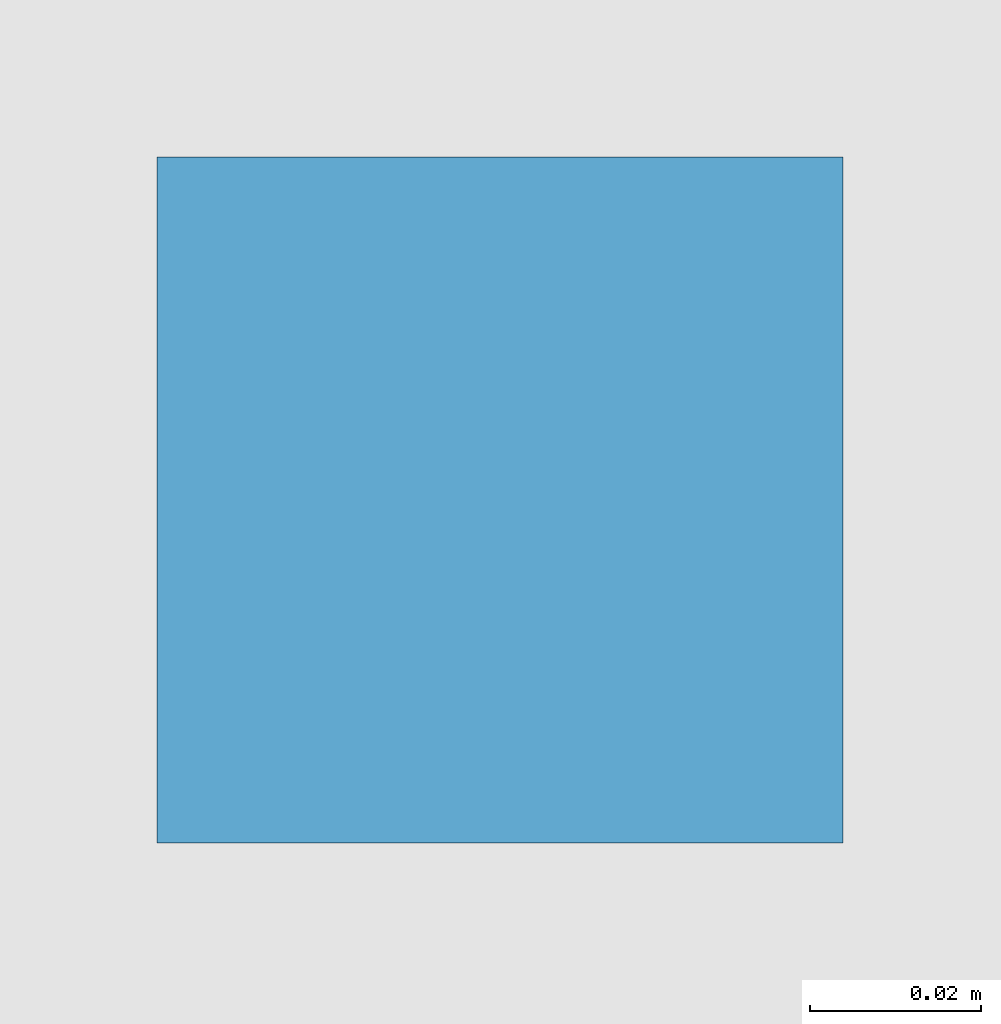
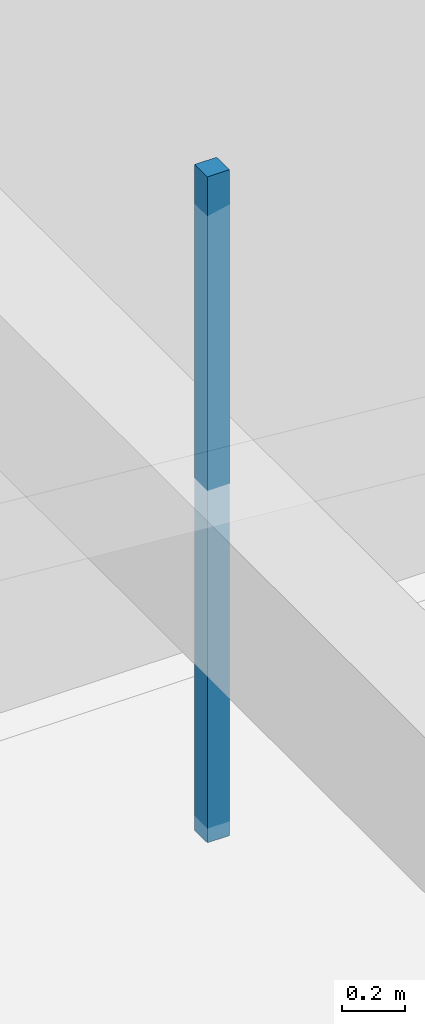
# One storey, part 61 of 65: 1 discrete accessory.
"""IFC4 building model written with IfcOpenShell, lengths in metres."""

import ifcopenshell
import ifcopenshell.guid

model = None  # the IFC model being written
_history = None  # IfcOwnerHistory: only IFC2X3 demands one
_inside = {}  # id of a spatial element -> (the spatial element, [elements in it])
_under = {}  # id of a project, library or spatial element -> (it, [spatial elements below it])
_declared = {}  # id of a project -> (the project, [libraries it declares])
_typed = {}  # id of a type object -> (the type object, [elements of that type])
_made_of = {}  # id of a material, layer set ... -> (it, [elements and type objects made of it])


def new_model(schema):
    """Start an empty IFC model of exactly this schema.

    Asked for "IFC4X3", IfcOpenShell would pick the latest addendum, in which some entities
    have other attributes; the version numbers below select the first issue.
    IFC2X3 requires an IfcOwnerHistory on every rooted entity: one is made here for all.
    """
    global model, _history
    if schema == "IFC4X3":
        model = ifcopenshell.file(schema_version=(4, 3, 0, 0))
    else:
        model = ifcopenshell.file(schema=schema)
    _inside.clear()
    _under.clear()
    _declared.clear()
    _typed.clear()
    _made_of.clear()
    _history = None
    if model.schema == "IFC2X3":
        org = make("IfcOrganization", Name="unknown")
        user = make(
            "IfcPersonAndOrganization",
            ThePerson=make("IfcPerson", FamilyName="unknown"),
            TheOrganization=org,
        )
        app = make(
            "IfcApplication",
            ApplicationDeveloper=org,
            Version="unknown",
            ApplicationFullName="unknown",
            ApplicationIdentifier="unknown",
        )
        _history = make(
            "IfcOwnerHistory",
            OwningUser=user,
            OwningApplication=app,
            ChangeAction="ADDED",
            CreationDate=0,
        )
    return model


def make(cls, **values):
    """One entity of the class cls with the attributes given. An attribute that is None is left unset."""
    return model.create_entity(
        cls, **{name: value for name, value in values.items() if value is not None}
    )


def rooted(cls, **values):
    """An entity with a GlobalId (a new one), such as an element, a storey or a relation."""
    return make(cls, GlobalId=ifcopenshell.guid.new(), OwnerHistory=_history, **values)


def si_unit(unit_type, name, prefix=None):
    """IfcSIUnit, for example si_unit("LENGTHUNIT", "METRE", prefix="MILLI")."""
    return make("IfcSIUnit", UnitType=unit_type, Prefix=prefix, Name=name)


def assignment(units):
    """IfcUnitAssignment: the units of a project."""
    return None if units is None else make("IfcUnitAssignment", Units=units)


def point(xyz):
    """IfcCartesianPoint."""
    return None if xyz is None else make("IfcCartesianPoint", Coordinates=xyz)


def direction(xyz):
    """IfcDirection."""
    return None if xyz is None else make("IfcDirection", DirectionRatios=xyz)


def frame(location, z_axis=None, x_axis=None):
    """IfcAxis2Placement3D, a coordinate frame: its origin and axes. An axis left out is left unset."""
    return make(
        "IfcAxis2Placement3D",
        Location=point(location),
        Axis=direction(z_axis),
        RefDirection=direction(x_axis),
    )


def frame_2d(location, x_axis=None):
    """IfcAxis2Placement2D, a coordinate frame in the plane: its origin and x axis."""
    return make(
        "IfcAxis2Placement2D", Location=point(location), RefDirection=direction(x_axis)
    )


def origin():
    """The frame at (0, 0, 0) with its axes left unset."""
    return frame((0.0, 0.0, 0.0))


def origin_2d():
    """The frame at (0, 0) in the plane with its x axis left unset."""
    return frame_2d((0.0, 0.0))


def place(relative_to, where):
    """IfcLocalPlacement: puts the frame where relative to a parent placement (None: the world)."""
    return make(
        "IfcLocalPlacement", PlacementRelTo=relative_to, RelativePlacement=where
    )


def context(
    kind, dimensions, precision=None, world=None, true_north=None, identifier=None
):
    """IfcGeometricRepresentationContext, for example the 3D "Model" context."""
    return make(
        "IfcGeometricRepresentationContext",
        ContextIdentifier=identifier,
        ContextType=kind,
        CoordinateSpaceDimension=dimensions,
        Precision=precision,
        WorldCoordinateSystem=world,
        TrueNorth=true_north,
    )


def subcontext(parent, identifier, kind, view, scale=None):
    """IfcGeometricRepresentationSubContext, for example "Body" below "Model"."""
    return make(
        "IfcGeometricRepresentationSubContext",
        ContextIdentifier=identifier,
        ContextType=kind,
        ParentContext=parent,
        TargetScale=scale,
        TargetView=view,
    )


def project(units=None, contexts=None):
    """IfcProject with its units and contexts."""
    return rooted(
        "IfcProject",
        Name="project",
        RepresentationContexts=contexts,
        UnitsInContext=assignment(units),
    )


def spatial(cls, under=None, at=None, **own):
    """A site, building, storey or space (cls), placed at a placement, below another one or the project."""
    s = rooted(cls, ObjectPlacement=at, **own)
    if under is not None:
        _under.setdefault(under.id(), (under, []))[1].append(s)
    return s


def profile(cls, at=None, kind="AREA", **sizes):
    """A parametric profile (cls). Its sizes go by their IFC names, for example OverallWidth=200.0."""
    return make(cls, ProfileType=kind, Position=at, **sizes)


def rectangle(**sizes):
    """IfcRectangleProfileDef."""
    return profile("IfcRectangleProfileDef", **sizes)


def extrude(swept, where, along, depth):
    """IfcExtrudedAreaSolid: the profile swept, set in the frame where, extruded along a direction by depth."""
    return make(
        "IfcExtrudedAreaSolid",
        SweptArea=swept,
        Position=where,
        ExtrudedDirection=direction(along),
        Depth=depth,
    )


def shape(context_of_items, identifier, shape_type, items):
    """IfcShapeRepresentation: the items that make up one representation, for example the "Body"."""
    return make(
        "IfcShapeRepresentation",
        ContextOfItems=context_of_items,
        RepresentationIdentifier=identifier,
        RepresentationType=shape_type,
        Items=items,
    )


def material(Name=None, Category=None):
    """IfcMaterial."""
    return make("IfcMaterial", Name=Name, Category=Category)


def layer(
    of_material, thickness, ventilated=None, Name=None, Category=None, Priority=None
):
    """IfcMaterialLayer: one layer of a wall or slab, of a material (None: an air gap)."""
    return make(
        "IfcMaterialLayer",
        Material=of_material,
        LayerThickness=thickness,
        IsVentilated=ventilated,
        Name=Name,
        Category=Category,
        Priority=Priority,
    )


def layer_set(layers, Name=None):
    """IfcMaterialLayerSet."""
    return make("IfcMaterialLayerSet", MaterialLayers=layers, LayerSetName=Name)


def made_of(thing, what):
    """Note that an element or type object is made of a material, layer set ...; save() writes the relation."""
    if what is not None:
        _made_of.setdefault(what.id(), (what, []))[1].append(thing)
    return thing


def type_object(cls, material=None, **own):
    """A type object (cls), such as IfcWallType, which elements share."""
    return made_of(rooted(cls, **own), material)


def element(
    cls,
    number,
    at=None,
    inside=None,
    cuts=None,
    type_object=None,
    material=None,
    context=None,
    identifier="Body",
    shape_type=None,
    held_by="IfcProductDefinitionShape",
    body=None,
    shapes=None,
    **own,
):
    """One element of the class cls, such as IfcWall. Its Tag is "e" and its number.

    at: its placement. inside: the storey or other place that contains it. cuts: it is an
    opening in that element (IfcRelVoidsElement). A single representation is given by context,
    identifier, shape_type and body (its items); several are given by shapes. held_by: the class
    of the entity that holds the representations. save() writes the other relations.
    """
    e = rooted(cls, Tag="e%d" % number, ObjectPlacement=at, **own)
    if body is not None:
        shapes = [shape(context, identifier, shape_type, body)]
    if shapes is not None:
        e.Representation = make(held_by, Representations=shapes)
    if inside is not None:
        _inside.setdefault(inside.id(), (inside, []))[1].append(e)
    if cuts is not None:
        rooted(
            "IfcRelVoidsElement", RelatingBuildingElement=cuts, RelatedOpeningElement=e
        )
    if type_object is not None:
        _typed.setdefault(type_object.id(), (type_object, []))[1].append(e)
    return made_of(e, material)


def aggregate(whole, parts):
    """IfcRelAggregates: a whole, such as a stair, and the parts it consists of."""
    return rooted("IfcRelAggregates", RelatingObject=whole, RelatedObjects=parts)


def save(model, path):
    """Write the relations noted so far, then the file.

    IfcRelAggregates (storeys below a building ...), IfcRelContainedInSpatialStructure (elements
    in a storey), IfcRelDefinesByType, IfcRelAssociatesMaterial and IfcRelDeclares: one each for
    every whole, place, type object, material and project.
    """
    for whole, parts in _under.values():
        aggregate(whole, parts)
    for where, things in _inside.values():
        rooted(
            "IfcRelContainedInSpatialStructure",
            RelatedElements=things,
            RelatingStructure=where,
        )
    for kind, things in _typed.values():
        rooted("IfcRelDefinesByType", RelatedObjects=things, RelatingType=kind)
    for what, things in _made_of.values():
        rooted("IfcRelAssociatesMaterial", RelatedObjects=things, RelatingMaterial=what)
    for by, libraries in _declared.values():
        rooted("IfcRelDeclares", RelatingContext=by, RelatedDefinitions=libraries)
    model.write(path)


model = new_model("IFC4")

# Units and contexts
model_context = context("Model", 3, precision=1e-05, world=origin(), true_north=direction((0.0, 1.0)))
body_context = subcontext(model_context, "Body", "Model", "MODEL_VIEW")
ifc_project = project(units=[si_unit("LENGTHUNIT", "METRE"), si_unit("AREAUNIT", "SQUARE_METRE"), si_unit("VOLUMEUNIT", "CUBIC_METRE"), si_unit("PLANEANGLEUNIT", "RADIAN"), si_unit("MASSUNIT", "GRAM", prefix="KILO")], contexts=[model_context])

# Site, building, storey
site_placement = place(None, origin())
site = spatial("IfcSite", under=ifc_project, at=site_placement, CompositionType="ELEMENT")
building_placement = place(site_placement, origin())
building = spatial("IfcBuilding", under=site, at=building_placement, Name="Varnabhumi Central Station", CompositionType="ELEMENT")
storey_placement = place(building_placement, frame((0.0, 0.0, 24.60009765625)))
storey = spatial("IfcBuildingStorey", under=building, at=storey_placement, Name="L05", CompositionType="ELEMENT", Elevation=24.60009765625)

# Discrete accessory
ifc_material = material(Name="Structural steel E350", Category="steel")
ifc_layer = layer(ifc_material, 0.159912109375, Name="Structural steel E350", Category="steel")
ifc_layer_set = layer_set([ifc_layer], Name="Structural steel E350")
discrete_accessory_type = type_object("IfcDiscreteAccessoryType", Name="ACC-SHADE-BRKT", PredefinedType="BRACKET", material=ifc_layer_set)
discrete_accessory_placement = place(storey_placement, frame((115.949951171875, 4.5, 2.83984375), z_axis=(0.0, 0.0, 1.0), x_axis=(1.0, 0.0, 0.0)))
element("IfcDiscreteAccessory", 1, at=discrete_accessory_placement, inside=storey, type_object=discrete_accessory_type, Name="Female Train Crew Locker and Rest Room Ceiling Hanger", PredefinedType="BRACKET", context=body_context, shape_type="SweptSolid", body=[
    extrude(rectangle(XDim=0.080078125, YDim=0.080078125, at=origin_2d()), origin(), (0.0, 0.0, 1.0), 2.570068359375),
])

save(model, "model.ifc")
